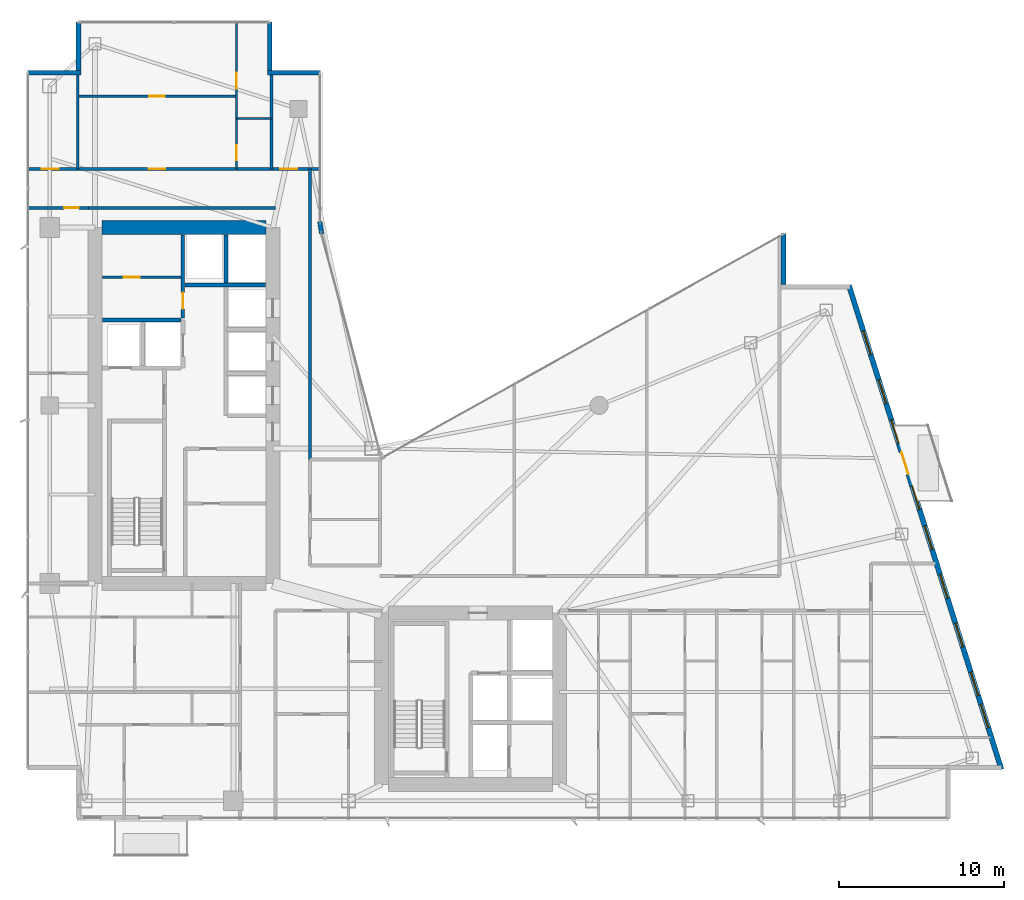
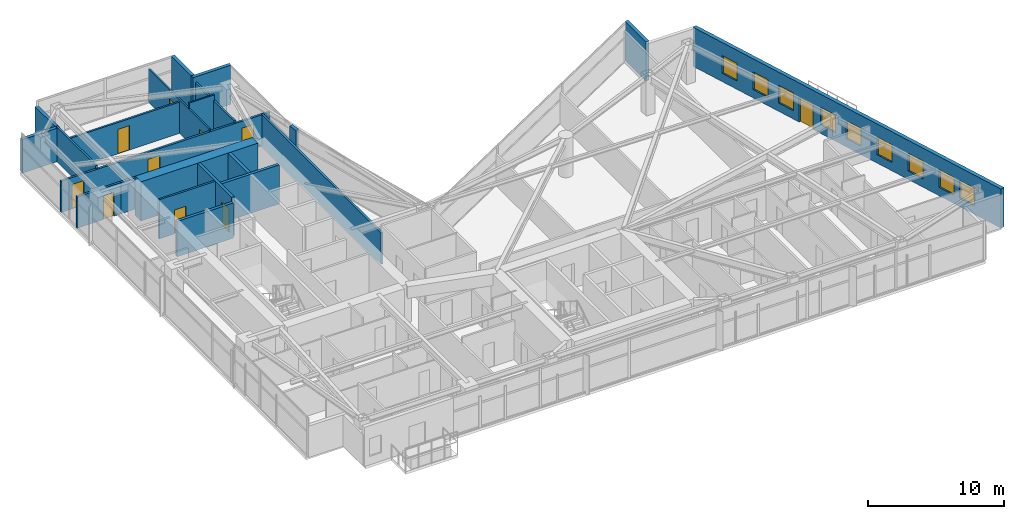
# One storey, part 25 of 28: 22 walls, 10 doors, 9 windows, 19 openings.
"""IFC4 building model written with IfcOpenShell, lengths in metres."""

from ifc_helpers import new_model, si_unit, direction, frame, frame_2d, origin, place, context, subcontext, project, spatial, rectangle, extrude, material, layer, layer_set, type_object, element, fill, save


model = new_model("IFC4")

# Units and contexts
model_context = context("Model", 3, precision=1e-05, world=origin(), true_north=direction((0.0, 1.0)))
body_context = subcontext(model_context, "Body", "Model", "MODEL_VIEW")
ifc_project = project(units=[si_unit("LENGTHUNIT", "METRE"), si_unit("AREAUNIT", "SQUARE_METRE"), si_unit("VOLUMEUNIT", "CUBIC_METRE"), si_unit("PLANEANGLEUNIT", "RADIAN"), si_unit("MASSUNIT", "GRAM", prefix="KILO")], contexts=[model_context])

# Site, building, storey
site_placement = place(None, origin())
site = spatial("IfcSite", under=ifc_project, at=site_placement, CompositionType="ELEMENT")
building_placement = place(site_placement, origin())
building = spatial("IfcBuilding", under=site, at=building_placement, Name="Calvorn Quay Hotel", CompositionType="ELEMENT")
storey_placement = place(building_placement, frame((0.0, 0.0, 135.39990234375)))
storey = spatial("IfcBuildingStorey", under=building, at=storey_placement, Name="L33", CompositionType="ELEMENT", Elevation=135.39990234375)

# Wall
ifc_material_1 = material(Name="Concrete C50", Category="concrete")
ifc_layer_1 = layer(ifc_material_1, 0.85009765625)
ifc_layer_set_1 = layer_set([ifc_layer_1], Name="WL-CORE-850")
wall_type_1 = type_object("IfcWallType", Name="WL-CORE-850", PredefinedType="SHEAR", material=ifc_layer_set_1)
wall_1_placement = place(storey_placement, frame((4.625, 38.39990234375, 0.0), z_axis=(0.0, 0.0, 1.0), x_axis=(1.0, 0.0, 0.0)))
element("IfcWall", 1, at=wall_1_placement, inside=storey, type_object=wall_type_1, Name="West Core Shear Wall N (L33)", PredefinedType="SHEAR", context=body_context, shape_type="SweptSolid", body=[
    extrude(rectangle(XDim=9.949951171875, YDim=0.85009765625, at=frame_2d((4.97509765625, 0.0))), origin(), (0.0, 0.0, 1.0), 3.52001953125),
])

# Wall, opening, door
ifc_material_2 = material(Name="Acoustic Fireboard Steel-Stud Partition", Category="steel")
ifc_layer_2 = layer(ifc_material_2, 0.179931640625)
ifc_layer_set_2 = layer_set([ifc_layer_2], Name="WL-CORR-FIRE-180")
wall_type_2 = type_object("IfcWallType", Name="WL-CORR-FIRE-180", PredefinedType="PARTITIONING", material=ifc_layer_set_2)
wall_2_placement = place(storey_placement, frame((0.080078125, 39.60009765625, 0.0), z_axis=(0.0, 0.0, 1.0), x_axis=(1.0, 0.0, 0.0)))
wall_2 = element("IfcWall", 2, at=wall_2_placement, inside=storey, type_object=wall_type_2, Name="Partition Wall L33-WL-WBAY-N-DOOR", PredefinedType="PARTITIONING", context=body_context, shape_type="SweptSolid", body=[
    extrude(rectangle(XDim=3.724853515625, YDim=0.179931640625, at=frame_2d((1.8623046875, 0.0))), origin(), (0.0, 0.0, 1.0), 2.820068359375),
])
opening_1_placement = place(wall_2_placement, frame((2.25, 0.0, 0.0)))
opening_1 = element("IfcOpeningElement", 3, at=opening_1_placement, cuts=wall_2, Name="Opening D-L33-WBN", PredefinedType="OPENING", context=body_context, shape_type="SweptSolid", body=[
    extrude(rectangle(XDim=0.89990234375, YDim=2.14990234375, at=frame_2d((0.449951171875, 1.074951171875))), frame((0.0, 0.099853515625, 0.0), z_axis=(0.0, -1.0, 0.0), x_axis=(1.0, 0.0, 0.0)), (0.0, 0.0, 1.0), 0.199951171875),
])
ifc_material_3 = material(Name="Moisture-Sealed Timber En-Suite Door", Category="wood")
door_type_1 = type_object("IfcDoorType", Name="DR-ENSUITE-900", OperationType="NOTDEFINED", PredefinedType="DOOR", material=ifc_material_3)
door_1_placement = place(opening_1_placement, origin())
door_1 = element("IfcDoor", 4, at=door_1_placement, inside=storey, type_object=door_type_1, Name="West North Bay Door (L33)", OperationType="SINGLE_SWING_LEFT", OverallHeight=2.14990234375, OverallWidth=0.89990234375, PredefinedType="DOOR", context=body_context, shape_type="SweptSolid", body=[
    extrude(rectangle(XDim=0.89990234375, YDim=2.14990234375, at=frame_2d((0.449951171875, 1.074951171875))), frame((0.0, 0.02490234375, 0.0), z_axis=(0.0, -1.0, 0.0), x_axis=(1.0, 0.0, 0.0)), (0.0, 0.0, 1.0), 0.050048828125),
])
fill(opening_1, door_1)

# Wall, openings, doors
wall_3_placement = place(storey_placement, frame((0.080078125, 41.949951171875, 0.0), z_axis=(0.0, 0.0, 1.0), x_axis=(1.0, 0.0, 0.0)))
wall_3 = element("IfcWall", 5, at=wall_3_placement, inside=storey, type_object=wall_type_2, Name="Partition Wall L33-WL-CORR-NW-N", PredefinedType="PARTITIONING", context=body_context, shape_type="SweptSolid", body=[
    extrude(rectangle(XDim=17.77001953125, YDim=0.179931640625, at=frame_2d((8.885009765625, 0.0))), origin(), (0.0, 0.0, 1.0), 2.820068359375),
])
opening_2_placement = place(wall_3_placement, frame((0.89990234375, 0.0, 0.0)))
opening_2 = element("IfcOpeningElement", 6, at=opening_2_placement, cuts=wall_3, Name="Opening D-L33-NWW", PredefinedType="OPENING", context=body_context, shape_type="SweptSolid", body=[
    extrude(rectangle(XDim=1.02001953125, YDim=2.199951171875, at=frame_2d((0.510009765625, 1.10009765625))), frame((0.0, 0.099853515625, 0.0), z_axis=(0.0, -1.0, 0.0), x_axis=(1.0, 0.0, 0.0)), (0.0, 0.0, 1.0), 0.199951171875),
])
opening_3_placement = place(wall_3_placement, frame((7.3798828125, 0.0, 0.0)))
opening_3 = element("IfcOpeningElement", 7, at=opening_3_placement, cuts=wall_3, Name="Opening D-L33-U04", PredefinedType="OPENING", context=body_context, shape_type="SweptSolid", body=[
    extrude(rectangle(XDim=1.02001953125, YDim=2.199951171875, at=frame_2d((0.510009765625, 1.10009765625))), frame((0.0, 0.099853515625, 0.0), z_axis=(0.0, -1.0, 0.0), x_axis=(1.0, 0.0, 0.0)), (0.0, 0.0, 1.0), 0.199951171875),
])
opening_4_placement = place(wall_3_placement, frame((15.3701171875, 0.0, 0.0)))
opening_4 = element("IfcOpeningElement", 8, at=opening_4_placement, cuts=wall_3, Name="Opening D-L33-NWE", PredefinedType="OPENING", context=body_context, shape_type="SweptSolid", body=[
    extrude(rectangle(XDim=1.02001953125, YDim=2.199951171875, at=frame_2d((0.510009765625, 1.10009765625))), frame((0.0, 0.099853515625, 0.0), z_axis=(0.0, -1.0, 0.0), x_axis=(1.0, 0.0, 0.0)), (0.0, 0.0, 1.0), 0.199951171875),
])
ifc_material_4 = material(Name="Solid-Core Walnut Veneer Hotel Fire Door")
door_type_2 = type_object("IfcDoorType", Name="DR-GUEST-ENTRY-1020", OperationType="NOTDEFINED", PredefinedType="DOOR", material=ifc_material_4)
door_2_placement = place(opening_2_placement, origin())
door_2 = element("IfcDoor", 9, at=door_2_placement, inside=storey, type_object=door_type_2, Name="West Corner Study Door (L33)", OperationType="SINGLE_SWING_LEFT", OverallHeight=2.199951171875, OverallWidth=1.02001953125, PredefinedType="DOOR", context=body_context, shape_type="SweptSolid", body=[
    extrude(rectangle(XDim=1.02001953125, YDim=2.199951171875, at=frame_2d((0.510009765625, 1.10009765625))), frame((0.0, 0.02490234375, 0.0), z_axis=(0.0, -1.0, 0.0), x_axis=(1.0, 0.0, 0.0)), (0.0, 0.0, 1.0), 0.050048828125),
])
fill(opening_2, door_2)
door_3_placement = place(opening_3_placement, origin())
door_3 = element("IfcDoor", 10, at=door_3_placement, inside=storey, type_object=door_type_2, Name="North-West Unit Door U04 (L33)", OperationType="SINGLE_SWING_RIGHT", OverallHeight=2.199951171875, OverallWidth=1.02001953125, PredefinedType="DOOR", context=body_context, shape_type="SweptSolid", body=[
    extrude(rectangle(XDim=1.02001953125, YDim=2.199951171875, at=frame_2d((0.510009765625, 1.10009765625))), frame((0.0, 0.02490234375, 0.0), z_axis=(0.0, -1.0, 0.0), x_axis=(1.0, 0.0, 0.0)), (0.0, 0.0, 1.0), 0.050048828125),
])
fill(opening_3, door_3)
door_4_placement = place(opening_4_placement, origin())
door_4 = element("IfcDoor", 11, at=door_4_placement, inside=storey, type_object=door_type_2, Name="Inner Court Study Door (L33)", OperationType="SINGLE_SWING_RIGHT", OverallHeight=2.199951171875, OverallWidth=1.02001953125, PredefinedType="DOOR", context=body_context, shape_type="SweptSolid", body=[
    extrude(rectangle(XDim=1.02001953125, YDim=2.199951171875, at=frame_2d((0.510009765625, 1.10009765625))), frame((0.0, 0.02490234375, 0.0), z_axis=(0.0, -1.0, 0.0), x_axis=(1.0, 0.0, 0.0)), (0.0, 0.0, 1.0), 0.050048828125),
])
fill(opening_4, door_4)

# Walls
wall_4_placement = place(storey_placement, frame((17.25, 24.300048828125, 0.0), z_axis=(0.0, 0.0, 1.0), x_axis=(0.0, 1.0, 0.0)))
element("IfcWall", 12, at=wall_4_placement, inside=storey, type_object=wall_type_2, Name="Partition Wall L33-WL-NW-CLOSURE-E", PredefinedType="PARTITIONING", context=body_context, shape_type="SweptSolid", body=[
    extrude(rectangle(XDim=17.64990234375, YDim=0.179931640625, at=frame_2d((8.824951171875, 0.0))), origin(), (0.0, 0.0, 1.0), 2.820068359375),
])
wall_5_placement = place(storey_placement, frame((3.7548828125, 39.60009765625, 0.0), z_axis=(0.0, 0.0, 1.0), x_axis=(1.0, 0.0, 0.0)))
element("IfcWall", 13, at=wall_5_placement, inside=storey, type_object=wall_type_2, Name="Partition Wall L33-WL-W-SPUR-S", PredefinedType="PARTITIONING", context=body_context, shape_type="SweptSolid", body=[
    extrude(rectangle(XDim=11.39501953125, YDim=0.179931640625, at=frame_2d((5.697509765625, 0.0))), origin(), (0.0, 0.0, 1.0), 2.820068359375),
])
ifc_material_5 = material(Name="Moisture-Resistant Tile-Backed Partition")
ifc_layer_3 = layer(ifc_material_5, 0.125)
ifc_layer_set_3 = layer_set([ifc_layer_3], Name="WL-ENSUITE-125")
wall_type_3 = type_object("IfcWallType", Name="WL-ENSUITE-125", PredefinedType="PARTITIONING", material=ifc_layer_set_3)
wall_6_placement = place(storey_placement, frame((12.7900390625, 45.02001953125, 0.0), z_axis=(0.0, 0.0, 1.0), x_axis=(1.0, 0.0, 0.0)))
element("IfcWall", 14, at=wall_6_placement, inside=storey, type_object=wall_type_3, Name="Partition Wall L33-WL-U04-BDV", PredefinedType="PARTITIONING", context=body_context, shape_type="SweptSolid", body=[
    extrude(rectangle(XDim=2.1298828125, YDim=0.125, at=frame_2d((1.06494140625, 0.0))), origin(), (0.0, 0.0, 1.0), 3.52001953125),
])

# Wall, openings, doors
wall_7_placement = place(storey_placement, frame((12.7900390625, 41.949951171875, 0.0), z_axis=(0.0, 0.0, 1.0), x_axis=(0.0, 1.0, 0.0)))
wall_7 = element("IfcWall", 15, at=wall_7_placement, inside=storey, type_object=wall_type_3, Name="Partition Wall L33-WL-U04-BV", PredefinedType="PARTITIONING", context=body_context, shape_type="SweptSolid", body=[
    extrude(rectangle(XDim=8.989990234375, YDim=0.125, at=frame_2d((4.4951171875, 0.0))), origin(), (0.0, 0.0, 1.0), 3.02001953125),
])
opening_5_placement = place(wall_7_placement, frame((0.550048828125, 0.0, 0.0)))
opening_5 = element("IfcOpeningElement", 16, at=opening_5_placement, cuts=wall_7, Name="Opening D-L33-E04", PredefinedType="OPENING", context=body_context, shape_type="SweptSolid", body=[
    extrude(rectangle(XDim=0.89990234375, YDim=2.14990234375, at=frame_2d((0.449951171875, 1.074951171875))), frame((0.0, 0.072509765625, 0.0), z_axis=(0.0, -1.0, 0.0), x_axis=(1.0, 0.0, 0.0)), (0.0, 0.0, 1.0), 0.14501953125),
])
opening_6_placement = place(wall_7_placement, frame((4.8798828125, 0.0, 0.0)))
opening_6 = element("IfcOpeningElement", 17, at=opening_6_placement, cuts=wall_7, Name="Opening D-L33-S04", PredefinedType="OPENING", context=body_context, shape_type="SweptSolid", body=[
    extrude(rectangle(XDim=0.9599609375, YDim=2.199951171875, at=frame_2d((0.47998046875, 1.10009765625))), frame((0.0, 0.072509765625, 0.0), z_axis=(0.0, -1.0, 0.0), x_axis=(1.0, 0.0, 0.0)), (0.0, 0.0, 1.0), 0.14501953125),
])
door_5_placement = place(opening_5_placement, origin())
door_5 = element("IfcDoor", 18, at=door_5_placement, inside=storey, type_object=door_type_1, Name="En-Suite Door 04", OperationType="SINGLE_SWING_LEFT", OverallHeight=2.14990234375, OverallWidth=0.89990234375, PredefinedType="DOOR", context=body_context, shape_type="SweptSolid", body=[
    extrude(rectangle(XDim=0.89990234375, YDim=2.14990234375, at=frame_2d((0.449951171875, 1.074951171875))), frame((0.0, 0.02490234375, 0.0), z_axis=(0.0, -1.0, 0.0), x_axis=(1.0, 0.0, 0.0)), (0.0, 0.0, 1.0), 0.050048828125),
])
fill(opening_5, door_5)
ifc_material_6 = material(Name="Solid Timber Internal Suite Door", Category="wood")
door_type_3 = type_object("IfcDoorType", Name="DR-SUITE-INT-960", OperationType="NOTDEFINED", PredefinedType="DOOR", material=ifc_material_6)
door_6_placement = place(opening_6_placement, origin())
door_6 = element("IfcDoor", 19, at=door_6_placement, inside=storey, type_object=door_type_3, Name="Executive Work Office Door 04", OperationType="SINGLE_SWING_RIGHT", OverallHeight=2.199951171875, OverallWidth=0.9599609375, PredefinedType="DOOR", context=body_context, shape_type="SweptSolid", body=[
    extrude(rectangle(XDim=0.9599609375, YDim=2.199951171875, at=frame_2d((0.47998046875, 1.10009765625))), frame((0.0, 0.02490234375, 0.0), z_axis=(0.0, -1.0, 0.0), x_axis=(1.0, 0.0, 0.0)), (0.0, 0.0, 1.0), 0.050048828125),
])
fill(opening_6, door_6)

# Walls
ifc_material_7 = material(Name="Concrete C40", Category="concrete")
ifc_layer_4 = layer(ifc_material_7, 0.320068359375)
ifc_layer_set_4 = layer_set([ifc_layer_4], Name="WL-EXT-SPANDREL-320")
wall_type_4 = type_object("IfcWallType", Name="WL-EXT-SPANDREL-320", PredefinedType="SOLIDWALL", material=ifc_layer_set_4)
wall_8_placement = place(storey_placement, frame((17.9619140625, 38.030029296875, 0.0), z_axis=(0.0, 0.0, 1.0), x_axis=(-0.15141125477, 0.988470855377, 0.0)))
element("IfcWall", 20, at=wall_8_placement, inside=storey, type_object=wall_type_4, Name="Inner Court Corner Pier L33-ICJ2", PredefinedType="SOLIDWALL", context=body_context, shape_type="SweptSolid", body=[
    extrude(rectangle(XDim=0.738525390625, YDim=0.280029296875, at=frame_2d((0.369140625, 0.0))), origin(), (0.0, 0.0, 1.0), 3.52001953125),
])
wall_9_placement = place(storey_placement, frame((46.0, 34.93994140625, 0.0), z_axis=(0.0, 0.0, 1.0), x_axis=(0.0, 1.0, 0.0)))
element("IfcWall", 21, at=wall_9_placement, inside=storey, type_object=wall_type_4, Name="Notched Corner Spandrel L33-NE2", PredefinedType="SOLIDWALL", context=body_context, shape_type="SweptSolid", body=[
    extrude(rectangle(XDim=3.10009765625, YDim=0.280029296875, at=frame_2d((1.550048828125, 0.0))), origin(), (0.0, 0.0, 1.0), 3.52001953125),
])
wall_10_placement = place(storey_placement, frame((17.89990234375, 47.800048828125, 0.0), z_axis=(0.0, 0.0, 1.0), x_axis=(-1.0, 0.0, 0.0)))
element("IfcWall", 22, at=wall_10_placement, inside=storey, type_object=wall_type_4, Name="Notched Corner Spandrel L33-NWE1", PredefinedType="SOLIDWALL", context=body_context, shape_type="SweptSolid", body=[
    extrude(rectangle(XDim=3.239990234375, YDim=0.280029296875, at=frame_2d((1.6201171875, 0.0))), origin(), (0.0, 0.0, 1.0), 3.52001953125),
])
wall_11_placement = place(storey_placement, frame((14.800048828125, 47.93994140625, 0.0), z_axis=(0.0, 0.0, 1.0), x_axis=(0.0, 1.0, 0.0)))
element("IfcWall", 23, at=wall_11_placement, inside=storey, type_object=wall_type_4, Name="Notched Corner Spandrel L33-NWE2", PredefinedType="SOLIDWALL", context=body_context, shape_type="SweptSolid", body=[
    extrude(rectangle(XDim=2.93994140625, YDim=0.280029296875, at=frame_2d((1.469970703125, 0.0))), origin(), (0.0, 0.0, 1.0), 3.52001953125),
])
wall_12_placement = place(storey_placement, frame((3.199951171875, 50.8798828125, 0.0), z_axis=(0.0, 0.0, 1.0), x_axis=(0.0, -1.0, 0.0)))
element("IfcWall", 24, at=wall_12_placement, inside=storey, type_object=wall_type_4, Name="Notched Corner Spandrel L33-NW1", PredefinedType="SOLIDWALL", context=body_context, shape_type="SweptSolid", body=[
    extrude(rectangle(XDim=2.93994140625, YDim=0.280029296875, at=frame_2d((1.469970703125, 0.0))), origin(), (0.0, 0.0, 1.0), 3.02001953125),
])
wall_13_placement = place(storey_placement, frame((3.340087890625, 47.800048828125, 0.0), z_axis=(0.0, 0.0, 1.0), x_axis=(-1.0, 0.0, 0.0)))
element("IfcWall", 25, at=wall_13_placement, inside=storey, type_object=wall_type_4, Name="Notched Corner Spandrel L33-NW2", PredefinedType="SOLIDWALL", context=body_context, shape_type="SweptSolid", body=[
    extrude(rectangle(XDim=3.219970703125, YDim=0.280029296875, at=frame_2d((1.60986328125, 0.0))), origin(), (0.0, 0.0, 1.0), 3.02001953125),
])

# Wall, openings, door, windows
wall_14_placement = place(storey_placement, frame((59.22998046875, 5.5048828125, 0.0), z_axis=(0.0, 0.0, 1.0), x_axis=(-0.300509063924, 0.953778958931, 0.0)))
wall_14 = element("IfcWall", 26, at=wall_14_placement, inside=storey, type_object=wall_type_4, Name="East Stepped Waterfront Exterior Wall (L33)", PredefinedType="SOLIDWALL", context=body_context, shape_type="SweptSolid", body=[
    extrude(rectangle(XDim=30.814453125, YDim=0.320068359375, at=frame_2d((15.4072265625, 0.0))), origin(), (0.0, 0.0, 1.0), 3.52001953125),
])
opening_7_placement = place(wall_14_placement, frame((18.7958984375, 0.0, 0.0)))
opening_7 = element("IfcOpeningElement", 27, at=opening_7_placement, cuts=wall_14, Name="Opening DB-L33-1", PredefinedType="OPENING", context=body_context, shape_type="SweptSolid", body=[
    extrude(rectangle(XDim=1.39990234375, YDim=2.25, at=frame_2d((0.699951171875, 1.125))), frame((0.0, 0.169921875, 0.0), z_axis=(0.0, -1.0, 0.0), x_axis=(1.0, 0.0, 0.0)), (0.0, 0.0, 1.0), 0.340087890625),
])
opening_8_placement = place(wall_14_placement, frame((2.64990234375, 0.0, 0.75)))
opening_8 = element("IfcOpeningElement", 28, at=opening_8_placement, cuts=wall_14, Name="Opening WG-L33-E1", PredefinedType="OPENING", context=body_context, shape_type="SweptSolid", body=[
    extrude(rectangle(XDim=1.5, YDim=1.60009765625, at=frame_2d((0.75, 0.800048828125))), frame((0.0, 0.169921875, 0.0), z_axis=(0.0, -1.0, 0.0), x_axis=(1.0, 0.0, 0.0)), (0.0, 0.0, 1.0), 0.340087890625),
])
opening_9_placement = place(wall_14_placement, frame((4.699951171875, 0.0, 0.75)))
opening_9 = element("IfcOpeningElement", 29, at=opening_9_placement, cuts=wall_14, Name="Opening WG-L33-E2", PredefinedType="OPENING", context=body_context, shape_type="SweptSolid", body=[
    extrude(rectangle(XDim=1.5, YDim=1.60009765625, at=frame_2d((0.75, 0.800048828125))), frame((0.0, 0.169921875, 0.0), z_axis=(0.0, -1.0, 0.0), x_axis=(1.0, 0.0, 0.0)), (0.0, 0.0, 1.0), 0.340087890625),
])
opening_10_placement = place(wall_14_placement, frame((7.800048828125, 0.0, 0.75)))
opening_10 = element("IfcOpeningElement", 30, at=opening_10_placement, cuts=wall_14, Name="Opening WG-L33-E3", PredefinedType="OPENING", context=body_context, shape_type="SweptSolid", body=[
    extrude(rectangle(XDim=1.5, YDim=1.60009765625, at=frame_2d((0.75, 0.800048828125))), frame((0.0, 0.169921875, 0.0), z_axis=(0.0, -1.0, 0.0), x_axis=(1.0, 0.0, 0.0)), (0.0, 0.0, 1.0), 0.340087890625),
])
opening_11_placement = place(wall_14_placement, frame((10.89990234375, 0.0, 0.75)))
opening_11 = element("IfcOpeningElement", 31, at=opening_11_placement, cuts=wall_14, Name="Opening WG-L33-E4", PredefinedType="OPENING", context=body_context, shape_type="SweptSolid", body=[
    extrude(rectangle(XDim=1.5, YDim=1.60009765625, at=frame_2d((0.75, 0.800048828125))), frame((0.0, 0.169921875, 0.0), z_axis=(0.0, -1.0, 0.0), x_axis=(1.0, 0.0, 0.0)), (0.0, 0.0, 1.0), 0.340087890625),
])
opening_12_placement = place(wall_14_placement, frame((14.0, 0.0, 0.75)))
opening_12 = element("IfcOpeningElement", 32, at=opening_12_placement, cuts=wall_14, Name="Opening WG-L33-E5", PredefinedType="OPENING", context=body_context, shape_type="SweptSolid", body=[
    extrude(rectangle(XDim=1.5, YDim=1.60009765625, at=frame_2d((0.75, 0.800048828125))), frame((0.0, 0.169921875, 0.0), z_axis=(0.0, -1.0, 0.0), x_axis=(1.0, 0.0, 0.0)), (0.0, 0.0, 1.0), 0.340087890625),
])
opening_13_placement = place(wall_14_placement, frame((16.550048828125, 0.0, 0.75)))
opening_13 = element("IfcOpeningElement", 33, at=opening_13_placement, cuts=wall_14, Name="Opening WG-L33-E6", PredefinedType="OPENING", context=body_context, shape_type="SweptSolid", body=[
    extrude(rectangle(XDim=1.5, YDim=1.60009765625, at=frame_2d((0.75, 0.800048828125))), frame((0.0, 0.169921875, 0.0), z_axis=(0.0, -1.0, 0.0), x_axis=(1.0, 0.0, 0.0)), (0.0, 0.0, 1.0), 0.340087890625),
])
opening_14_placement = place(wall_14_placement, frame((20.75, 0.0, 0.75)))
opening_14 = element("IfcOpeningElement", 34, at=opening_14_placement, cuts=wall_14, Name="Opening WG-L33-E7", PredefinedType="OPENING", context=body_context, shape_type="SweptSolid", body=[
    extrude(rectangle(XDim=1.5, YDim=1.60009765625, at=frame_2d((0.75, 0.800048828125))), frame((0.0, 0.169921875, 0.0), z_axis=(0.0, -1.0, 0.0), x_axis=(1.0, 0.0, 0.0)), (0.0, 0.0, 1.0), 0.340087890625),
])
opening_15_placement = place(wall_14_placement, frame((23.300048828125, 0.0, 0.75)))
opening_15 = element("IfcOpeningElement", 35, at=opening_15_placement, cuts=wall_14, Name="Opening WG-L33-E8", PredefinedType="OPENING", context=body_context, shape_type="SweptSolid", body=[
    extrude(rectangle(XDim=1.5, YDim=1.60009765625, at=frame_2d((0.75, 0.800048828125))), frame((0.0, 0.169921875, 0.0), z_axis=(0.0, -1.0, 0.0), x_axis=(1.0, 0.0, 0.0)), (0.0, 0.0, 1.0), 0.340087890625),
])
opening_16_placement = place(wall_14_placement, frame((26.39990234375, 0.0, 0.75)))
opening_16 = element("IfcOpeningElement", 36, at=opening_16_placement, cuts=wall_14, Name="Opening WG-L33-E9", PredefinedType="OPENING", context=body_context, shape_type="SweptSolid", body=[
    extrude(rectangle(XDim=1.5, YDim=1.60009765625, at=frame_2d((0.75, 0.800048828125))), frame((0.0, 0.169921875, 0.0), z_axis=(0.0, -1.0, 0.0), x_axis=(1.0, 0.0, 0.0)), (0.0, 0.0, 1.0), 0.340087890625),
])
ifc_material_8 = material(Name="Typhoon-Rated Low-E Aluminium Terrace Door", Category="aluminium")
door_type_4 = type_object("IfcDoorType", Name="DR-BALCONY-GLZ-1400", OperationType="NOTDEFINED", PredefinedType="DOOR", material=ifc_material_8)
door_7_placement = place(opening_7_placement, origin())
door_7 = element("IfcDoor", 37, at=door_7_placement, inside=storey, type_object=door_type_4, Name="Tree Balcony Terrace Door L33-BALC-E", OperationType="SINGLE_SWING_LEFT", OverallHeight=2.25, OverallWidth=1.39990234375, PredefinedType="DOOR", context=body_context, shape_type="SweptSolid", body=[
    extrude(rectangle(XDim=1.39990234375, YDim=2.25, at=frame_2d((0.699951171875, 1.125))), frame((0.0, 0.02490234375, 0.0), z_axis=(0.0, -1.0, 0.0), x_axis=(1.0, 0.0, 0.0)), (0.0, 0.0, 1.0), 0.050048828125),
])
fill(opening_7, door_7)
ifc_material_9 = material(Name="Self-Closing Class B Fire Window")
window_type = type_object("IfcWindowType", Name="WIN-REFUGE-1500x1600", PartitioningType="SINGLE_PANEL", PredefinedType="WINDOW", material=ifc_material_9)
window_1_placement = place(opening_8_placement, origin())
window_1 = element("IfcWindow", 38, at=window_1_placement, inside=storey, type_object=window_type, Name="East Facade Window L33-E1", OverallHeight=1.60009765625, OverallWidth=1.5, PartitioningType="SINGLE_PANEL", PredefinedType="WINDOW", context=body_context, shape_type="SweptSolid", body=[
    extrude(rectangle(XDim=1.5, YDim=1.60009765625, at=frame_2d((0.75, 0.800048828125))), frame((0.0, 0.030029296875, 0.0), z_axis=(0.0, -1.0, 0.0), x_axis=(1.0, 0.0, 0.0)), (0.0, 0.0, 1.0), 0.06005859375),
])
fill(opening_8, window_1)
window_2_placement = place(opening_9_placement, origin())
window_2 = element("IfcWindow", 39, at=window_2_placement, inside=storey, type_object=window_type, Name="East Facade Window L33-E2", OverallHeight=1.60009765625, OverallWidth=1.5, PartitioningType="SINGLE_PANEL", PredefinedType="WINDOW", context=body_context, shape_type="SweptSolid", body=[
    extrude(rectangle(XDim=1.5, YDim=1.60009765625, at=frame_2d((0.75, 0.800048828125))), frame((0.0, 0.030029296875, 0.0), z_axis=(0.0, -1.0, 0.0), x_axis=(1.0, 0.0, 0.0)), (0.0, 0.0, 1.0), 0.06005859375),
])
fill(opening_9, window_2)
window_3_placement = place(opening_10_placement, origin())
window_3 = element("IfcWindow", 40, at=window_3_placement, inside=storey, type_object=window_type, Name="East Facade Window L33-E3", OverallHeight=1.60009765625, OverallWidth=1.5, PartitioningType="SINGLE_PANEL", PredefinedType="WINDOW", context=body_context, shape_type="SweptSolid", body=[
    extrude(rectangle(XDim=1.5, YDim=1.60009765625, at=frame_2d((0.75, 0.800048828125))), frame((0.0, 0.030029296875, 0.0), z_axis=(0.0, -1.0, 0.0), x_axis=(1.0, 0.0, 0.0)), (0.0, 0.0, 1.0), 0.06005859375),
])
fill(opening_10, window_3)
window_4_placement = place(opening_11_placement, origin())
window_4 = element("IfcWindow", 41, at=window_4_placement, inside=storey, type_object=window_type, Name="East Facade Window L33-E4", OverallHeight=1.60009765625, OverallWidth=1.5, PartitioningType="SINGLE_PANEL", PredefinedType="WINDOW", context=body_context, shape_type="SweptSolid", body=[
    extrude(rectangle(XDim=1.5, YDim=1.60009765625, at=frame_2d((0.75, 0.800048828125))), frame((0.0, 0.030029296875, 0.0), z_axis=(0.0, -1.0, 0.0), x_axis=(1.0, 0.0, 0.0)), (0.0, 0.0, 1.0), 0.06005859375),
])
fill(opening_11, window_4)
window_5_placement = place(opening_12_placement, origin())
window_5 = element("IfcWindow", 42, at=window_5_placement, inside=storey, type_object=window_type, Name="East Facade Window L33-E5", OverallHeight=1.60009765625, OverallWidth=1.5, PartitioningType="SINGLE_PANEL", PredefinedType="WINDOW", context=body_context, shape_type="SweptSolid", body=[
    extrude(rectangle(XDim=1.5, YDim=1.60009765625, at=frame_2d((0.75, 0.800048828125))), frame((0.0, 0.030029296875, 0.0), z_axis=(0.0, -1.0, 0.0), x_axis=(1.0, 0.0, 0.0)), (0.0, 0.0, 1.0), 0.06005859375),
])
fill(opening_12, window_5)
window_6_placement = place(opening_13_placement, origin())
window_6 = element("IfcWindow", 43, at=window_6_placement, inside=storey, type_object=window_type, Name="East Facade Window L33-E6", OverallHeight=1.60009765625, OverallWidth=1.5, PartitioningType="SINGLE_PANEL", PredefinedType="WINDOW", context=body_context, shape_type="SweptSolid", body=[
    extrude(rectangle(XDim=1.5, YDim=1.60009765625, at=frame_2d((0.75, 0.800048828125))), frame((0.0, 0.030029296875, 0.0), z_axis=(0.0, -1.0, 0.0), x_axis=(1.0, 0.0, 0.0)), (0.0, 0.0, 1.0), 0.06005859375),
])
fill(opening_13, window_6)
window_7_placement = place(opening_14_placement, origin())
window_7 = element("IfcWindow", 44, at=window_7_placement, inside=storey, type_object=window_type, Name="East Facade Window L33-E7", OverallHeight=1.60009765625, OverallWidth=1.5, PartitioningType="SINGLE_PANEL", PredefinedType="WINDOW", context=body_context, shape_type="SweptSolid", body=[
    extrude(rectangle(XDim=1.5, YDim=1.60009765625, at=frame_2d((0.75, 0.800048828125))), frame((0.0, 0.030029296875, 0.0), z_axis=(0.0, -1.0, 0.0), x_axis=(1.0, 0.0, 0.0)), (0.0, 0.0, 1.0), 0.06005859375),
])
fill(opening_14, window_7)
window_8_placement = place(opening_15_placement, origin())
window_8 = element("IfcWindow", 45, at=window_8_placement, inside=storey, type_object=window_type, Name="East Facade Window L33-E8", OverallHeight=1.60009765625, OverallWidth=1.5, PartitioningType="SINGLE_PANEL", PredefinedType="WINDOW", context=body_context, shape_type="SweptSolid", body=[
    extrude(rectangle(XDim=1.5, YDim=1.60009765625, at=frame_2d((0.75, 0.800048828125))), frame((0.0, 0.030029296875, 0.0), z_axis=(0.0, -1.0, 0.0), x_axis=(1.0, 0.0, 0.0)), (0.0, 0.0, 1.0), 0.06005859375),
])
fill(opening_15, window_8)
window_9_placement = place(opening_16_placement, origin())
window_9 = element("IfcWindow", 46, at=window_9_placement, inside=storey, type_object=window_type, Name="East Facade Window L33-E9", OverallHeight=1.60009765625, OverallWidth=1.5, PartitioningType="SINGLE_PANEL", PredefinedType="WINDOW", context=body_context, shape_type="SweptSolid", body=[
    extrude(rectangle(XDim=1.5, YDim=1.60009765625, at=frame_2d((0.75, 0.800048828125))), frame((0.0, 0.030029296875, 0.0), z_axis=(0.0, -1.0, 0.0), x_axis=(1.0, 0.0, 0.0)), (0.0, 0.0, 1.0), 0.06005859375),
])
fill(opening_16, window_9)

# Wall, opening, door
ifc_material_10 = material(Name="Double-Stud Acoustic Gypsum Partition")
ifc_layer_5 = layer(ifc_material_10, 0.159912109375)
ifc_layer_set_5 = layer_set([ifc_layer_5], Name="WL-INTERSUITE-160")
wall_type_5 = type_object("IfcWallType", Name="WL-INTERSUITE-160", PredefinedType="PARTITIONING", material=ifc_layer_set_5)
wall_15_placement = place(storey_placement, frame((4.64501953125, 35.3798828125, 0.0), z_axis=(0.0, 0.0, 1.0), x_axis=(1.0, 0.0, 0.0)))
wall_15 = element("IfcWall", 47, at=wall_15_placement, inside=storey, type_object=wall_type_5, Name="Partition Wall L33-WL-CWW-K-MID", PredefinedType="PARTITIONING", context=body_context, shape_type="SweptSolid", body=[
    extrude(rectangle(XDim=4.77490234375, YDim=0.159912109375, at=frame_2d((2.387451171875, 0.0))), origin(), (0.0, 0.0, 1.0), 3.52001953125),
])
opening_17_placement = place(wall_15_placement, frame((1.300048828125, 0.0, 0.0)))
opening_17 = element("IfcOpeningElement", 48, at=opening_17_placement, cuts=wall_15, Name="Opening D-L33-CK2", PredefinedType="OPENING", context=body_context, shape_type="SweptSolid", body=[
    extrude(rectangle(XDim=0.97998046875, YDim=2.14990234375, at=frame_2d((0.489990234375, 1.074951171875))), frame((0.0, 0.08984375, 0.0), z_axis=(0.0, -1.0, 0.0), x_axis=(1.0, 0.0, 0.0)), (0.0, 0.0, 1.0), 0.179931640625),
])
ifc_material_11 = material(Name="Painted Steel Housekeeping/Riser Fire Door", Category="steel")
door_type_5 = type_object("IfcDoorType", Name="DR-SERVICE-980", OperationType="NOTDEFINED", PredefinedType="DOOR", material=ifc_material_11)
door_8_placement = place(opening_17_placement, origin())
door_8 = element("IfcDoor", 49, at=door_8_placement, inside=storey, type_object=door_type_5, Name="Electrical Riser Door (L33)", OperationType="SINGLE_SWING_RIGHT", OverallHeight=2.14990234375, OverallWidth=0.97998046875, PredefinedType="DOOR", context=body_context, shape_type="SweptSolid", body=[
    extrude(rectangle(XDim=0.97998046875, YDim=2.14990234375, at=frame_2d((0.489990234375, 1.074951171875))), frame((0.0, 0.02490234375, 0.0), z_axis=(0.0, -1.0, 0.0), x_axis=(1.0, 0.0, 0.0)), (0.0, 0.0, 1.0), 0.050048828125),
])
fill(opening_17, door_8)

# Walls
wall_16_placement = place(storey_placement, frame((3.14990234375, 41.949951171875, 0.0), z_axis=(0.0, 0.0, 1.0), x_axis=(0.0, 1.0, 0.0)))
element("IfcWall", 50, at=wall_16_placement, inside=storey, type_object=wall_type_5, Name="Partition Wall L33-WL-NW-DIV-W0", PredefinedType="PARTITIONING", context=body_context, shape_type="SweptSolid", body=[
    extrude(rectangle(XDim=5.85009765625, YDim=0.159912109375, at=frame_2d((2.925048828125, 0.0))), origin(), (0.0, 0.0, 1.0), 3.1201171875),
])
wall_17_placement = place(storey_placement, frame((14.919921875, 41.949951171875, 0.0), z_axis=(0.0, 0.0, 1.0), x_axis=(0.0, 1.0, 0.0)))
element("IfcWall", 51, at=wall_17_placement, inside=storey, type_object=wall_type_5, Name="Partition Wall L33-WL-NW-DIV-E0", PredefinedType="PARTITIONING", context=body_context, shape_type="SweptSolid", body=[
    extrude(rectangle(XDim=5.85009765625, YDim=0.159912109375, at=frame_2d((2.925048828125, 0.0))), origin(), (0.0, 0.0, 1.0), 3.02001953125),
])

# Wall, opening, door
wall_18_placement = place(storey_placement, frame((3.14990234375, 46.3798828125, 0.0), z_axis=(0.0, 0.0, 1.0), x_axis=(1.0, 0.0, 0.0)))
wall_18 = element("IfcWall", 52, at=wall_18_placement, inside=storey, type_object=wall_type_5, Name="Partition Wall L33-WL-U04-MSP", PredefinedType="PARTITIONING", context=body_context, shape_type="SweptSolid", body=[
    extrude(rectangle(XDim=9.64013671875, YDim=0.159912109375, at=frame_2d((4.820068359375, 0.0))), origin(), (0.0, 0.0, 1.0), 2.820068359375),
])
opening_18_placement = place(wall_18_placement, frame((4.340087890625, 0.0, 0.0)))
opening_18 = element("IfcOpeningElement", 53, at=opening_18_placement, cuts=wall_18, Name="Opening D-L33-M04", PredefinedType="OPENING", context=body_context, shape_type="SweptSolid", body=[
    extrude(rectangle(XDim=0.9599609375, YDim=2.199951171875, at=frame_2d((0.47998046875, 1.10009765625))), frame((0.0, 0.08984375, 0.0), z_axis=(0.0, -1.0, 0.0), x_axis=(1.0, 0.0, 0.0)), (0.0, 0.0, 1.0), 0.179931640625),
])
door_9_placement = place(opening_18_placement, origin())
door_9 = element("IfcDoor", 54, at=door_9_placement, inside=storey, type_object=door_type_3, Name="Suite Bedroom Door 04", OperationType="SINGLE_SWING_LEFT", OverallHeight=2.199951171875, OverallWidth=0.9599609375, PredefinedType="DOOR", context=body_context, shape_type="SweptSolid", body=[
    extrude(rectangle(XDim=0.9599609375, YDim=2.199951171875, at=frame_2d((0.47998046875, 1.10009765625))), frame((0.0, 0.02490234375, 0.0), z_axis=(0.0, -1.0, 0.0), x_axis=(1.0, 0.0, 0.0)), (0.0, 0.0, 1.0), 0.050048828125),
])
fill(opening_18, door_9)

ifc_material_12 = material(Name="Autoclaved Aerated Masonry Block", Category="masonry")
ifc_layer_6 = layer(ifc_material_12, 0.219970703125)
ifc_layer_set_6 = layer_set([ifc_layer_6], Name="WL-LOBBY-FIRE-220")
wall_type_6 = type_object("IfcWallType", Name="WL-LOBBY-FIRE-220", PredefinedType="SOLIDWALL", material=ifc_layer_set_6)
wall_19_placement = place(storey_placement, frame((9.5400390625, 32.919921875, 0.0), z_axis=(0.0, 0.0, 1.0), x_axis=(0.0, 1.0, 0.0)))
wall_19 = element("IfcWall", 55, at=wall_19_placement, inside=storey, type_object=wall_type_6, Name="Partition Wall L33-WL-CWW-K-E", PredefinedType="SOLIDWALL", context=body_context, shape_type="SweptSolid", body=[
    extrude(rectangle(XDim=5.03515625, YDim=0.219970703125, at=frame_2d((2.517578125, 0.0))), origin(), (0.0, 0.0, 1.0), 3.52001953125),
])
opening_19_placement = place(wall_19_placement, frame((0.550048828125, 0.0, 0.0)))
opening_19 = element("IfcOpeningElement", 56, at=opening_19_placement, cuts=wall_19, Name="Opening D-L33-CK1", PredefinedType="OPENING", context=body_context, shape_type="SweptSolid", body=[
    extrude(rectangle(XDim=0.97998046875, YDim=2.14990234375, at=frame_2d((0.489990234375, 1.074951171875))), frame((0.0, 0.119873046875, 0.0), z_axis=(0.0, -1.0, 0.0), x_axis=(1.0, 0.0, 0.0)), (0.0, 0.0, 1.0), 0.239990234375),
])
door_10_placement = place(opening_19_placement, origin())
door_10 = element("IfcDoor", 57, at=door_10_placement, inside=storey, type_object=door_type_5, Name="Core Housekeeping Door (L33)", OperationType="SINGLE_SWING_LEFT", OverallHeight=2.14990234375, OverallWidth=0.97998046875, PredefinedType="DOOR", context=body_context, shape_type="SweptSolid", body=[
    extrude(rectangle(XDim=0.97998046875, YDim=2.14990234375, at=frame_2d((0.489990234375, 1.074951171875))), frame((0.0, 0.02490234375, 0.0), z_axis=(0.0, -1.0, 0.0), x_axis=(1.0, 0.0, 0.0)), (0.0, 0.0, 1.0), 0.050048828125),
])
fill(opening_19, door_10)

# Walls
ifc_material_13 = material(Name="Concrete C40", Category="concrete")
ifc_layer_7 = layer(ifc_material_13, 0.239990234375)
ifc_layer_set_7 = layer_set([ifc_layer_7], Name="WL-SHAFT-240")
wall_type_7 = type_object("IfcWallType", Name="WL-SHAFT-240", PredefinedType="SOLIDWALL", material=ifc_layer_set_7)
wall_20_placement = place(storey_placement, frame((4.64501953125, 32.780029296875, 0.0), z_axis=(0.0, 0.0, 1.0), x_axis=(1.0, 0.0, 0.0)))
element("IfcWall", 58, at=wall_20_placement, inside=storey, type_object=wall_type_7, Name="Partition Wall L33-WL-CWW-SLW-N", PredefinedType="SOLIDWALL", context=body_context, shape_type="SweptSolid", body=[
    extrude(rectangle(XDim=4.77490234375, YDim=0.239990234375, at=frame_2d((2.387451171875, 0.0))), origin(), (0.0, 0.0, 1.0), 3.170166015625),
])
wall_21_placement = place(storey_placement, frame((9.659912109375, 34.89990234375, 0.0), z_axis=(0.0, 0.0, 1.0), x_axis=(1.0, 0.0, 0.0)))
element("IfcWall", 59, at=wall_21_placement, inside=storey, type_object=wall_type_7, Name="Partition Wall L33-WL-CWW-PLH-S", PredefinedType="SOLIDWALL", context=body_context, shape_type="SweptSolid", body=[
    extrude(rectangle(XDim=4.89501953125, YDim=0.239990234375, at=frame_2d((2.447509765625, 0.0))), origin(), (0.0, 0.0, 1.0), 3.52001953125),
])
wall_22_placement = place(storey_placement, frame((12.14990234375, 35.02001953125, 0.0), z_axis=(0.0, 0.0, 1.0), x_axis=(0.0, 1.0, 0.0)))
element("IfcWall", 60, at=wall_22_placement, inside=storey, type_object=wall_type_7, Name="Partition Wall L33-WL-CWW-PLH-DIV", PredefinedType="SOLIDWALL", context=body_context, shape_type="SweptSolid", body=[
    extrude(rectangle(XDim=2.93505859375, YDim=0.239990234375, at=frame_2d((1.467529296875, 0.0))), origin(), (0.0, 0.0, 1.0), 3.52001953125),
])

save(model, "model.ifc")
